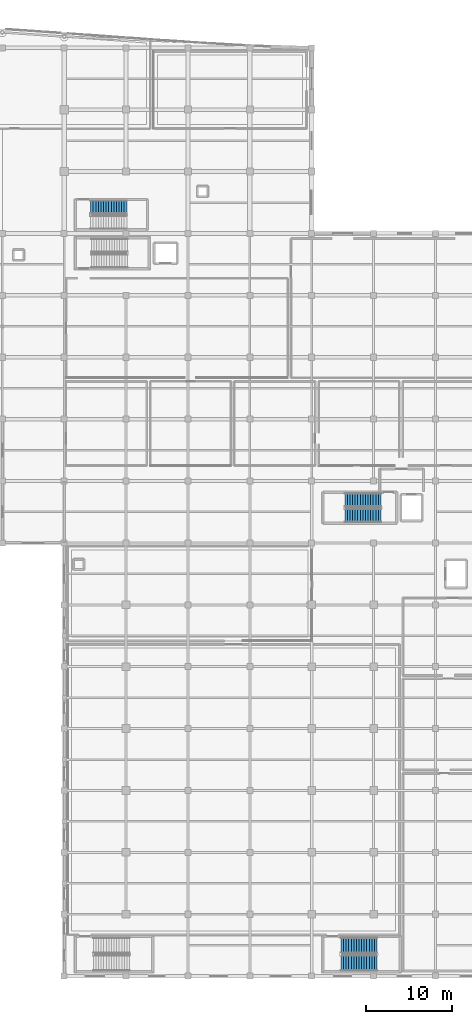
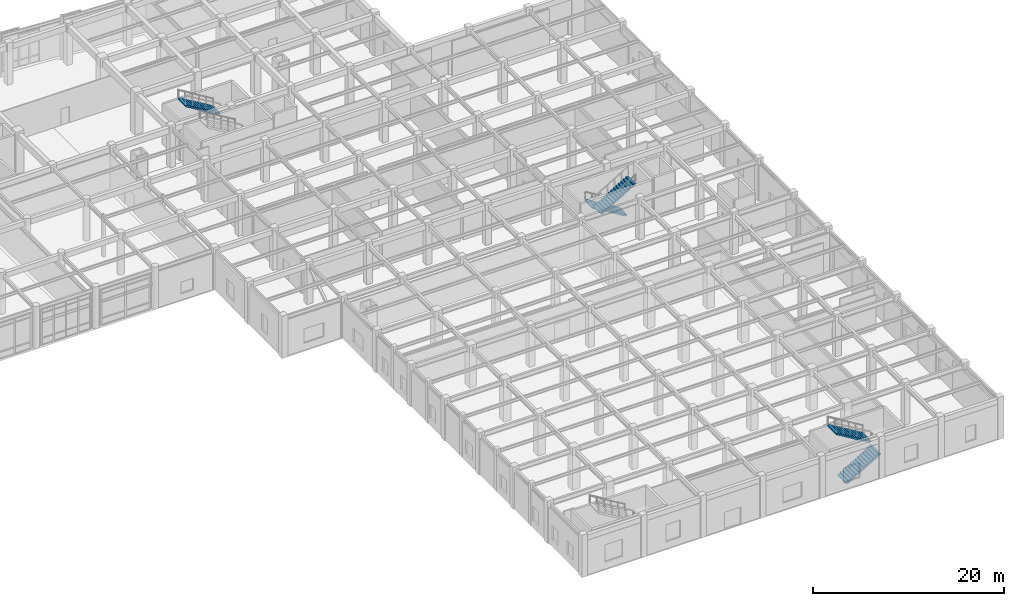
# One storey, part 85 of 102: 5 stair flights, 3 elements without a shape of their own.
"""IFC4 building model written with IfcOpenShell, lengths in metres."""

from ifc_helpers import new_model, si_unit, direction, frame, origin, place, context, subcontext, project, spatial, polyline, outline, extrude, material, type_object, element, aggregate, save


model = new_model("IFC4")

# Units and contexts
model_context = context("Model", 3, precision=1e-05, world=origin(), true_north=direction((0.0, 1.0)))
body_context = subcontext(model_context, "Body", "Model", "MODEL_VIEW")
ifc_project = project(units=[si_unit("LENGTHUNIT", "METRE"), si_unit("AREAUNIT", "SQUARE_METRE"), si_unit("VOLUMEUNIT", "CUBIC_METRE"), si_unit("PLANEANGLEUNIT", "RADIAN"), si_unit("MASSUNIT", "GRAM", prefix="KILO")], contexts=[model_context])

# Site, building, storey
site_placement = place(None, origin())
site = spatial("IfcSite", under=ifc_project, at=site_placement, CompositionType="ELEMENT")
building_placement = place(site_placement, origin())
building = spatial("IfcBuilding", under=site, at=building_placement, Name="Carrowvane Square Congress Hotel", CompositionType="ELEMENT")
storey_placement = place(building_placement, origin())
storey = spatial("IfcBuildingStorey", under=building, at=storey_placement, Name="L00", CompositionType="ELEMENT", Elevation=0.0)

# Stair, stair flight
ifc_material_1 = material(Name="Concrete C35/45", Category="concrete")
stair_type_1 = type_object("IfcStairType", Name="STR-DOG-02", PredefinedType="HALF_TURN_STAIR", material=ifc_material_1)
stair_1_placement = place(storey_placement, origin())
stair_1 = element("IfcStair", 1, at=stair_1_placement, inside=storey, type_object=stair_type_1, Name="L00 East Hotel Wing Escape Stair", PredefinedType="HALF_TURN_STAIR")
ifc_material_2 = material(Name="Concrete C35/45", Category="concrete")
stair_flight_type_1 = type_object("IfcStairFlightType", Name="SFL-STR-02", PredefinedType="STRAIGHT", material=ifc_material_2)
stair_flight_1_placement = place(storey_placement, frame((141.280029296875, 94.8701171875, 2.699951171875), z_axis=(0.0, 0.0, 1.0), x_axis=(-1.0, 0.0, 0.0)))
stair_flight_1 = element("IfcStairFlight", 2, at=stair_flight_1_placement, type_object=stair_flight_type_1, Name="ST12 flight 2", NumberOfRisers=15, NumberOfTreads=14, PredefinedType="STRAIGHT", RiserHeight=0.18, TreadLength=0.3, context=body_context, shape_type="SweptSolid", body=[
    extrude(outline(polyline([(0.0, 0.0), (0.0, 0.179931640625), (0.300048828125, 0.179931640625), (0.300048828125, 0.360107421875), (0.60009765625, 0.360107421875), (0.60009765625, 0.5400390625), (0.89990234375, 0.5400390625), (0.89990234375, 0.719970703125), (1.199951171875, 0.719970703125), (1.199951171875, 0.89990234375), (1.5, 0.89990234375), (1.5, 1.080078125), (1.800048828125, 1.080078125), (1.800048828125, 1.260009765625), (2.10009765625, 1.260009765625), (2.10009765625, 1.43994140625), (2.39990234375, 1.43994140625), (2.39990234375, 1.6201171875), (2.699951171875, 1.6201171875), (2.699951171875, 1.800048828125), (3.0, 1.800048828125), (3.0, 1.97998046875), (3.300048828125, 1.97998046875), (3.300048828125, 2.159912109375), (3.60009765625, 2.159912109375), (3.60009765625, 2.340087890625), (3.89990234375, 2.340087890625), (3.89990234375, 2.52001953125), (4.199951171875, 2.52001953125), (4.199951171875, 2.699951171875), (4.199951171875, 2.34521484375), (0.291259765625, 0.0), (0.0, 0.0)])), frame((0.0, 0.7900390625, 0.0), z_axis=(0.0, -1.0, 0.0), x_axis=(1.0, 0.0, 0.0)), (0.0, 0.0, 1.0), 1.580078125),
])
aggregate(stair_1, [stair_flight_1])

# Stair, stair flights
ifc_material_3 = material(Name="Concrete C35/45", Category="concrete")
stair_type_2 = type_object("IfcStairType", Name="STR-DOG-06", PredefinedType="HALF_TURN_STAIR", material=ifc_material_3)
stair_2_placement = place(storey_placement, origin())
stair_2 = element("IfcStair", 3, at=stair_2_placement, inside=storey, type_object=stair_type_2, Name="L00 Core C4 East Congress Firefighting Stair", PredefinedType="HALF_TURN_STAIR")
ifc_material_4 = material(Name="Concrete C35/45", Category="concrete")
stair_flight_type_2 = type_object("IfcStairFlightType", Name="SFL-STR-06", PredefinedType="STRAIGHT", material=ifc_material_4)
stair_flight_2_placement = place(storey_placement, frame((170.85009765625, 60.800048828125, 0.0), z_axis=(0.0, 0.0, 1.0), x_axis=(-1.0, 0.0, 0.0)))
stair_flight_2 = element("IfcStairFlight", 4, at=stair_flight_2_placement, type_object=stair_flight_type_2, Name="ST4 flight 1", NumberOfRisers=15, NumberOfTreads=14, PredefinedType="STRAIGHT", RiserHeight=0.18, TreadLength=0.3, context=body_context, shape_type="SweptSolid", body=[
    extrude(outline(polyline([(0.0, 0.0), (0.0, 0.179931640625), (0.300048828125, 0.179931640625), (0.300048828125, 0.360107421875), (0.60009765625, 0.360107421875), (0.60009765625, 0.5400390625), (0.89990234375, 0.5400390625), (0.89990234375, 0.719970703125), (1.199951171875, 0.719970703125), (1.199951171875, 0.89990234375), (1.5, 0.89990234375), (1.5, 1.080078125), (1.800048828125, 1.080078125), (1.800048828125, 1.260009765625), (2.10009765625, 1.260009765625), (2.10009765625, 1.43994140625), (2.39990234375, 1.43994140625), (2.39990234375, 1.6201171875), (2.699951171875, 1.6201171875), (2.699951171875, 1.800048828125), (3.0, 1.800048828125), (3.0, 1.97998046875), (3.300048828125, 1.97998046875), (3.300048828125, 2.159912109375), (3.60009765625, 2.159912109375), (3.60009765625, 2.340087890625), (3.89990234375, 2.340087890625), (3.89990234375, 2.52001953125), (4.199951171875, 2.52001953125), (4.199951171875, 2.699951171875), (4.199951171875, 2.34521484375), (0.291259765625, 0.0), (0.0, 0.0)])), frame((0.0, 0.800048828125, 0.0), z_axis=(0.0, -1.0, 0.0), x_axis=(1.0, 0.0, 0.0)), (0.0, 0.0, 1.0), 1.60009765625),
])
stair_flight_3_placement = place(storey_placement, frame((166.64990234375, 59.0, 2.699951171875), z_axis=(0.0, 0.0, 1.0), x_axis=(1.0, 0.0, 0.0)))
stair_flight_3 = element("IfcStairFlight", 5, at=stair_flight_3_placement, type_object=stair_flight_type_2, Name="ST4 flight 2", NumberOfRisers=15, NumberOfTreads=14, PredefinedType="STRAIGHT", RiserHeight=0.18, TreadLength=0.3, context=body_context, shape_type="SweptSolid", body=[
    extrude(outline(polyline([(0.0, 0.0), (0.0, 0.179931640625), (0.300048828125, 0.179931640625), (0.300048828125, 0.360107421875), (0.60009765625, 0.360107421875), (0.60009765625, 0.5400390625), (0.89990234375, 0.5400390625), (0.89990234375, 0.719970703125), (1.199951171875, 0.719970703125), (1.199951171875, 0.89990234375), (1.5, 0.89990234375), (1.5, 1.080078125), (1.800048828125, 1.080078125), (1.800048828125, 1.260009765625), (2.10009765625, 1.260009765625), (2.10009765625, 1.43994140625), (2.39990234375, 1.43994140625), (2.39990234375, 1.6201171875), (2.699951171875, 1.6201171875), (2.699951171875, 1.800048828125), (3.0, 1.800048828125), (3.0, 1.97998046875), (3.300048828125, 1.97998046875), (3.300048828125, 2.159912109375), (3.60009765625, 2.159912109375), (3.60009765625, 2.340087890625), (3.89990234375, 2.340087890625), (3.89990234375, 2.52001953125), (4.199951171875, 2.52001953125), (4.199951171875, 2.699951171875), (4.199951171875, 2.34521484375), (0.291259765625, 0.0), (0.0, 0.0)])), frame((0.0, 0.800048828125, 0.0), z_axis=(0.0, -1.0, 0.0), x_axis=(1.0, 0.0, 0.0)), (0.0, 0.0, 1.0), 1.60009765625),
])
aggregate(stair_2, [stair_flight_2, stair_flight_3])

ifc_material_5 = material(Name="Concrete C35/45", Category="concrete")
stair_type_3 = type_object("IfcStairType", Name="STR-DOG-12", PredefinedType="HALF_TURN_STAIR", material=ifc_material_5)
stair_3_placement = place(storey_placement, origin())
stair_3 = element("IfcStair", 6, at=stair_3_placement, inside=storey, type_object=stair_type_3, Name="L00 Ballroom South-East Assembly Stair", PredefinedType="HALF_TURN_STAIR")
ifc_material_6 = material(Name="Concrete C35/45", Category="concrete")
stair_flight_type_3 = type_object("IfcStairFlightType", Name="SFL-STR-12", PredefinedType="STRAIGHT", material=ifc_material_6)
stair_flight_4_placement = place(storey_placement, frame((166.199951171875, 6.925048828125, 0.0), z_axis=(0.0, 0.0, 1.0), x_axis=(1.0, 0.0, 0.0)))
stair_flight_4 = element("IfcStairFlight", 7, at=stair_flight_4_placement, type_object=stair_flight_type_3, Name="ST11 flight 1", NumberOfRisers=15, NumberOfTreads=14, PredefinedType="STRAIGHT", RiserHeight=0.18, TreadLength=0.3, context=body_context, shape_type="SweptSolid", body=[
    extrude(outline(polyline([(0.0, 0.0), (0.0, 0.179931640625), (0.300048828125, 0.179931640625), (0.300048828125, 0.360107421875), (0.60009765625, 0.360107421875), (0.60009765625, 0.5400390625), (0.89990234375, 0.5400390625), (0.89990234375, 0.719970703125), (1.199951171875, 0.719970703125), (1.199951171875, 0.89990234375), (1.5, 0.89990234375), (1.5, 1.080078125), (1.800048828125, 1.080078125), (1.800048828125, 1.260009765625), (2.10009765625, 1.260009765625), (2.10009765625, 1.43994140625), (2.39990234375, 1.43994140625), (2.39990234375, 1.6201171875), (2.699951171875, 1.6201171875), (2.699951171875, 1.800048828125), (3.0, 1.800048828125), (3.0, 1.97998046875), (3.300048828125, 1.97998046875), (3.300048828125, 2.159912109375), (3.60009765625, 2.159912109375), (3.60009765625, 2.340087890625), (3.89990234375, 2.340087890625), (3.89990234375, 2.52001953125), (4.199951171875, 2.52001953125), (4.199951171875, 2.699951171875), (4.199951171875, 2.34521484375), (0.291259765625, 0.0), (0.0, 0.0)])), frame((0.0, 0.925048828125, 0.0), z_axis=(0.0, -1.0, 0.0), x_axis=(1.0, 0.0, 0.0)), (0.0, 0.0, 1.0), 1.85009765625),
])
stair_flight_5_placement = place(storey_placement, frame((170.39990234375, 8.97509765625, 2.699951171875), z_axis=(0.0, 0.0, 1.0), x_axis=(-1.0, 0.0, 0.0)))
stair_flight_5 = element("IfcStairFlight", 8, at=stair_flight_5_placement, type_object=stair_flight_type_3, Name="ST11 flight 2", NumberOfRisers=15, NumberOfTreads=14, PredefinedType="STRAIGHT", RiserHeight=0.18, TreadLength=0.3, context=body_context, shape_type="SweptSolid", body=[
    extrude(outline(polyline([(0.0, 0.0), (0.0, 0.179931640625), (0.300048828125, 0.179931640625), (0.300048828125, 0.360107421875), (0.60009765625, 0.360107421875), (0.60009765625, 0.5400390625), (0.89990234375, 0.5400390625), (0.89990234375, 0.719970703125), (1.199951171875, 0.719970703125), (1.199951171875, 0.89990234375), (1.5, 0.89990234375), (1.5, 1.080078125), (1.800048828125, 1.080078125), (1.800048828125, 1.260009765625), (2.10009765625, 1.260009765625), (2.10009765625, 1.43994140625), (2.39990234375, 1.43994140625), (2.39990234375, 1.6201171875), (2.699951171875, 1.6201171875), (2.699951171875, 1.800048828125), (3.0, 1.800048828125), (3.0, 1.97998046875), (3.300048828125, 1.97998046875), (3.300048828125, 2.159912109375), (3.60009765625, 2.159912109375), (3.60009765625, 2.340087890625), (3.89990234375, 2.340087890625), (3.89990234375, 2.52001953125), (4.199951171875, 2.52001953125), (4.199951171875, 2.699951171875), (4.199951171875, 2.34521484375), (0.291259765625, 0.0), (0.0, 0.0)])), frame((0.0, 0.925048828125, 0.0), z_axis=(0.0, -1.0, 0.0), x_axis=(1.0, 0.0, 0.0)), (0.0, 0.0, 1.0), 1.85009765625),
])
aggregate(stair_3, [stair_flight_4, stair_flight_5])

save(model, "model.ifc")
